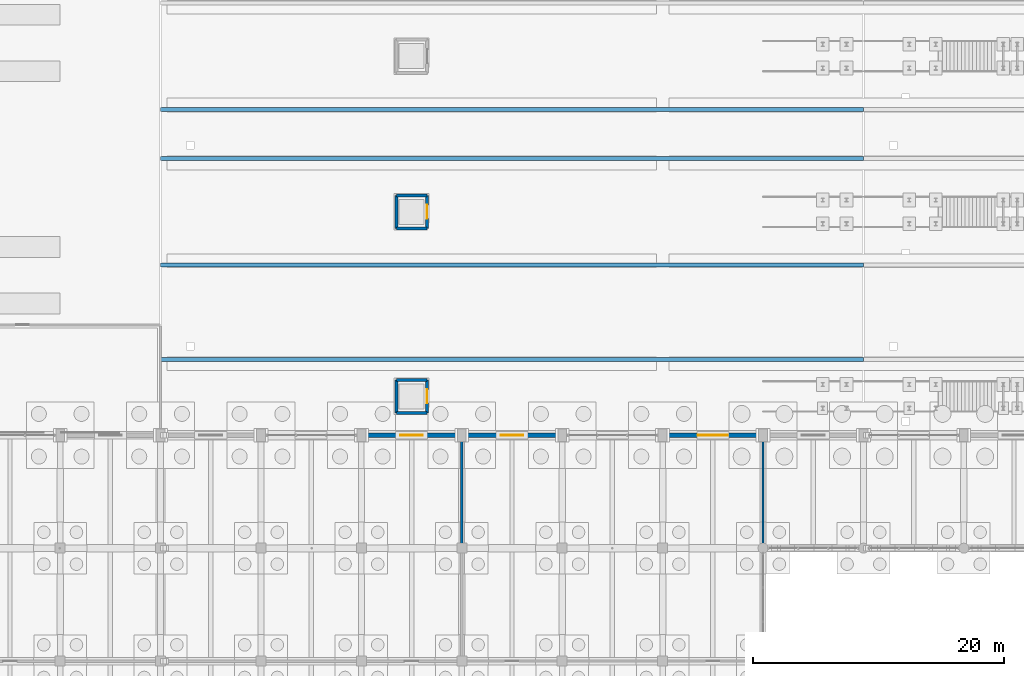
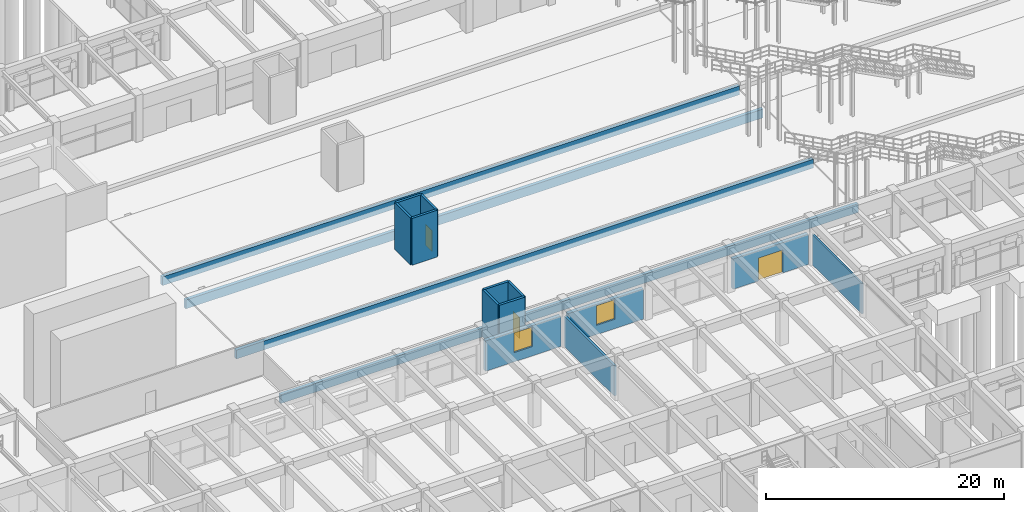
# One storey, part 104 of 147: 17 walls, 3 doors, 2 windows, 5 openings.
"""IFC4 building model written with IfcOpenShell, lengths in metres."""

from ifc_helpers import new_model, si_unit, direction, frame, frame_2d, origin, place, context, subcontext, project, spatial, rectangle, extrude, material, layer, layer_set, type_object, element, fill, save


model = new_model("IFC4")

# Units and contexts
model_context = context("Model", 3, precision=1e-05, world=origin(), true_north=direction((0.0, 1.0)))
body_context = subcontext(model_context, "Body", "Model", "MODEL_VIEW")
ifc_project = project(units=[si_unit("LENGTHUNIT", "METRE"), si_unit("AREAUNIT", "SQUARE_METRE"), si_unit("VOLUMEUNIT", "CUBIC_METRE"), si_unit("PLANEANGLEUNIT", "RADIAN"), si_unit("MASSUNIT", "GRAM", prefix="KILO")], contexts=[model_context])

# Site, building, storey
site_placement = place(None, origin())
site = spatial("IfcSite", under=ifc_project, at=site_placement, CompositionType="ELEMENT")
building_placement = place(site_placement, origin())
building = spatial("IfcBuilding", under=site, at=building_placement, Name="Varnabhumi Central Station", CompositionType="ELEMENT")
storey_placement = place(building_placement, origin())
storey = spatial("IfcBuildingStorey", under=building, at=storey_placement, Name="L00", CompositionType="ELEMENT", Elevation=0.0)

# Wall
ifc_material_1 = material(Name="Autoclaved aerated blockwork masonry", Category="masonry")
ifc_layer_1 = layer(ifc_material_1, 0.219970703125, Name="Autoclaved aerated blockwork masonry", Category="masonry")
ifc_layer_set_1 = layer_set([ifc_layer_1], Name="Autoclaved aerated blockwork masonry")
wall_type_1 = type_object("IfcWallType", Name="WAL-COMP-AAC-220", PredefinedType="SOLIDWALL", material=ifc_layer_set_1)
wall_1_placement = place(storey_placement, frame((88.0, 27.300048828125, 0.0), z_axis=(0.0, 0.0, 1.0), x_axis=(0.0, 1.0, 0.0)))
element("IfcWall", 1, at=wall_1_placement, inside=storey, type_object=wall_type_1, Name="Inbound and Outbound Parcel Store W Partition 2", PredefinedType="SOLIDWALL", context=body_context, shape_type="SweptSolid", body=[
    extrude(rectangle(XDim=8.39990234375, YDim=0.219970703125, at=frame_2d((4.199951171875, 0.0))), origin(), (0.0, 0.0, 1.0), 3.110107421875),
])

# Wall, opening, window
ifc_material_2 = material(Name="Chunar sandstone masonry", Category="masonry")
ifc_layer_2 = layer(ifc_material_2, 0.360107421875, Name="Chunar sandstone masonry", Category="masonry")
ifc_layer_set_2 = layer_set([ifc_layer_2], Name="Chunar sandstone masonry")
wall_type_2 = type_object("IfcWallType", Name="WAL-EXT-SANDSTONE-360", PredefinedType="SOLIDWALL", material=ifc_layer_set_2)
wall_2_placement = place(storey_placement, frame((80.344970703125, 36.0, 0.0), z_axis=(0.0, 0.0, 1.0), x_axis=(1.0, 0.0, 0.0)))
wall_2 = element("IfcWall", 2, at=wall_2_placement, inside=storey, type_object=wall_type_2, Name="South Spine Wall L00-11", PredefinedType="SOLIDWALL", context=body_context, shape_type="SweptSolid", body=[
    extrude(rectangle(XDim=7.31005859375, YDim=0.360107421875, at=frame_2d((3.655029296875, 0.0))), origin(), (0.0, 0.0, 1.0), 3.110107421875),
])
opening_1_placement = place(wall_2_placement, frame((2.7548828125, 0.0, 0.949951171875)))
opening_1 = element("IfcOpeningElement", 3, at=opening_1_placement, cuts=wall_2, Name="Opening W-02", PredefinedType="OPENING", context=body_context, shape_type="SweptSolid", body=[
    extrude(rectangle(XDim=1.800048828125, YDim=2.02001953125, at=frame_2d((0.89990234375, 1.010009765625))), frame((0.0, 0.18994140625, 0.0), z_axis=(0.0, -1.0, 0.0), x_axis=(1.0, 0.0, 0.0)), (0.0, 0.0, 1.0), 0.380126953125),
])
ifc_material_3 = material(Name="Laminated low-E double glazing", Category="glass")
window_type = type_object("IfcWindowType", Name="WIN-ARCADE-1800x2600", PartitioningType="DOUBLE_PANEL_VERTICAL", PredefinedType="WINDOW", material=ifc_material_3)
window_1_placement = place(opening_1_placement, origin())
window_1 = element("IfcWindow", 4, at=window_1_placement, inside=storey, type_object=window_type, Name="South Spine Overlook Window L00-11", OverallHeight=2.02001953125, OverallWidth=1.800048828125, PartitioningType="SINGLE_PANEL", PredefinedType="WINDOW", context=body_context, shape_type="SweptSolid", body=[
    extrude(rectangle(XDim=1.800048828125, YDim=2.02001953125, at=frame_2d((0.89990234375, 1.010009765625))), frame((0.0, 0.030029296875, 0.0), z_axis=(0.0, -1.0, 0.0), x_axis=(1.0, 0.0, 0.0)), (0.0, 0.0, 1.0), 0.06005859375),
])
fill(opening_1, window_1)

wall_3_placement = place(storey_placement, frame((88.344970703125, 36.0, 0.0), z_axis=(0.0, 0.0, 1.0), x_axis=(1.0, 0.0, 0.0)))
wall_3 = element("IfcWall", 5, at=wall_3_placement, inside=storey, type_object=wall_type_2, Name="South Spine Wall L00-12", PredefinedType="SOLIDWALL", context=body_context, shape_type="SweptSolid", body=[
    extrude(rectangle(XDim=7.31005859375, YDim=0.360107421875, at=frame_2d((3.655029296875, 0.0))), origin(), (0.0, 0.0, 1.0), 3.110107421875),
])
opening_2_placement = place(wall_3_placement, frame((2.7548828125, 0.0, 0.949951171875)))
opening_2 = element("IfcOpeningElement", 6, at=opening_2_placement, cuts=wall_3, Name="Opening W-02", PredefinedType="OPENING", context=body_context, shape_type="SweptSolid", body=[
    extrude(rectangle(XDim=1.800048828125, YDim=2.02001953125, at=frame_2d((0.89990234375, 1.010009765625))), frame((0.0, 0.18994140625, 0.0), z_axis=(0.0, -1.0, 0.0), x_axis=(1.0, 0.0, 0.0)), (0.0, 0.0, 1.0), 0.380126953125),
])
window_2_placement = place(opening_2_placement, origin())
window_2 = element("IfcWindow", 7, at=window_2_placement, inside=storey, type_object=window_type, Name="South Spine Overlook Window L00-12", OverallHeight=2.02001953125, OverallWidth=1.800048828125, PartitioningType="SINGLE_PANEL", PredefinedType="WINDOW", context=body_context, shape_type="SweptSolid", body=[
    extrude(rectangle(XDim=1.800048828125, YDim=2.02001953125, at=frame_2d((0.89990234375, 1.010009765625))), frame((0.0, 0.030029296875, 0.0), z_axis=(0.0, -1.0, 0.0), x_axis=(1.0, 0.0, 0.0)), (0.0, 0.0, 1.0), 0.06005859375),
])
fill(opening_2, window_2)

# Wall, opening, door
wall_4_placement = place(storey_placement, frame((104.344970703125, 36.0, 0.0), z_axis=(0.0, 0.0, 1.0), x_axis=(1.0, 0.0, 0.0)))
wall_4 = element("IfcWall", 8, at=wall_4_placement, inside=storey, type_object=wall_type_2, Name="South Spine Wall L00-14", PredefinedType="SOLIDWALL", context=body_context, shape_type="SweptSolid", body=[
    extrude(rectangle(XDim=7.31005859375, YDim=0.360107421875, at=frame_2d((3.655029296875, 0.0))), origin(), (0.0, 0.0, 1.0), 3.110107421875),
])
opening_3_placement = place(wall_4_placement, frame((2.455078125, 0.0, 0.0)))
opening_3 = element("IfcOpeningElement", 9, at=opening_3_placement, cuts=wall_4, Name="Opening ED-1", PredefinedType="OPENING", context=body_context, shape_type="SweptSolid", body=[
    extrude(rectangle(XDim=2.39990234375, YDim=2.35009765625, at=frame_2d((1.199951171875, 1.175048828125))), frame((0.0, 0.18994140625, 0.0), z_axis=(0.0, -1.0, 0.0), x_axis=(1.0, 0.0, 0.0)), (0.0, 0.0, 1.0), 0.380126953125),
])
ifc_material_4 = material(Name="Anodised aluminium 6063-T6", Category="aluminium")
door_type_1 = type_object("IfcDoorType", Name="DR-EXT-PORTAL-2400", OperationType="NOTDEFINED", PredefinedType="DOOR", material=ifc_material_4)
door_1_placement = place(opening_3_placement, origin())
door_1 = element("IfcDoor", 10, at=door_1_placement, inside=storey, type_object=door_type_1, Name="South Spine Portal 14", OperationType="DOUBLE_DOOR_SINGLE_SWING", OverallHeight=2.35009765625, OverallWidth=2.39990234375, PredefinedType="DOOR", context=body_context, shape_type="SweptSolid", body=[
    extrude(rectangle(XDim=2.39990234375, YDim=2.35009765625, at=frame_2d((1.199951171875, 1.175048828125))), frame((0.0, 0.02490234375, 0.0), z_axis=(0.0, -1.0, 0.0), x_axis=(1.0, 0.0, 0.0)), (0.0, 0.0, 1.0), 0.050048828125),
])
fill(opening_3, door_1)

# Walls
ifc_layer_3 = layer(ifc_material_1, 0.159912109375, Name="Autoclaved aerated blockwork masonry", Category="masonry")
ifc_layer_set_3 = layer_set([ifc_layer_3], Name="Autoclaved aerated blockwork masonry")
wall_type_3 = type_object("IfcWallType", Name="WAL-PART-AAC-160", PredefinedType="PARTITIONING", material=ifc_layer_set_3)
wall_5_placement = place(storey_placement, frame((112.0, 27.300048828125, 0.0), z_axis=(0.0, 0.0, 1.0), x_axis=(0.0, 1.0, 0.0)))
element("IfcWall", 11, at=wall_5_placement, inside=storey, type_object=wall_type_3, Name="Oversize Baggage Screening Room W Partition 2", PredefinedType="PARTITIONING", context=body_context, shape_type="SweptSolid", body=[
    extrude(rectangle(XDim=8.39990234375, YDim=0.159912109375, at=frame_2d((4.199951171875, 0.0))), origin(), (0.0, 0.0, 1.0), 3.110107421875),
])
ifc_material_5 = material(Name="Concrete M40", Category="concrete")
ifc_layer_4 = layer(ifc_material_5, 0.320068359375, Name="Concrete M40", Category="concrete")
ifc_layer_set_4 = layer_set([ifc_layer_4], Name="Concrete M40")
wall_type_4 = type_object("IfcWallType", Name="WAL-PLAT-RET-320", PredefinedType="USERDEFINED", material=ifc_layer_set_4)
for number, where, z_axis, x_axis, name in (
    (12, (64.0, 42.0400390625, -1.2548828125), (0.0, 0.0, 1.0), (1.0, 0.0, 0.0), "Platform 1 Retaining Wall N1"),
    (13, (64.0, 49.56005859375, -1.2548828125), (0.0, 0.0, 1.0), (1.0, 0.0, 0.0), "Platform 2 Retaining Wall S1"),
    (14, (64.0, 58.0400390625, -1.2548828125), (0.0, 0.0, 1.0), (1.0, 0.0, 0.0), "Platform 2 Retaining Wall N1"),
    (15, (64.0, 61.9599609375, -1.2548828125), (0.0, 0.0, 1.0), (1.0, 0.0, 0.0), "Platform 3 Retaining Wall S1"),
):
    element("IfcWall", number, at=place(storey_placement, frame(where, z_axis=z_axis, x_axis=x_axis)), inside=storey, type_object=wall_type_4, Name=name, ObjectType="RETAINING WALL", PredefinedType="USERDEFINED", context=body_context, shape_type="SweptSolid", body=[
        extrude(rectangle(XDim=56.0, YDim=0.320068359375, at=frame_2d((28.0, 0.0))), origin(), (0.0, 0.0, 1.0), 0.90478515625),
    ])
ifc_layer_5 = layer(ifc_material_5, 0.239990234375, Name="Concrete M40", Category="concrete")
ifc_layer_set_5 = layer_set([ifc_layer_5], Name="Concrete M40")
wall_type_5 = type_object("IfcWallType", Name="WAL-SHAFT-RC-240", PredefinedType="SHEAR", material=ifc_layer_set_5)
wall_6_placement = place(storey_placement, frame((82.780029296875, 37.780029296875, 0.0), z_axis=(0.0, 0.0, 1.0), x_axis=(0.0, 1.0, 0.0)))
element("IfcWall", 16, at=wall_6_placement, inside=storey, type_object=wall_type_5, Name="PL-1 L00 Shaft West Wall", PredefinedType="SHEAR", context=body_context, shape_type="SweptSolid", body=[
    extrude(rectangle(XDim=2.639892578125, YDim=0.239990234375, at=frame_2d((1.31982421875, 0.0))), origin(), (0.0, 0.0, 1.0), 4.800048828125),
])
for number, where, z_axis, x_axis, name in (
    (17, (82.780029296875, 37.780029296875, 0.0), (0.0, 0.0, 1.0), (1.0, 0.0, 0.0), "PL-1 L00 Shaft South Wall"),
    (18, (82.780029296875, 40.419921875, 0.0), (0.0, 0.0, 1.0), (1.0, 0.0, 0.0), "PL-1 L00 Shaft North Wall"),
):
    element("IfcWall", number, at=place(storey_placement, frame(where, z_axis=z_axis, x_axis=x_axis)), inside=storey, type_object=wall_type_5, Name=name, PredefinedType="SHEAR", context=body_context, shape_type="SweptSolid", body=[
        extrude(rectangle(XDim=2.43994140625, YDim=0.239990234375, at=frame_2d((1.219970703125, 0.0))), origin(), (0.0, 0.0, 1.0), 4.800048828125),
    ])

# Wall, opening, door
wall_7_placement = place(storey_placement, frame((85.219970703125, 37.780029296875, 0.0), z_axis=(0.0, 0.0, 1.0), x_axis=(0.0, 1.0, 0.0)))
wall_7 = element("IfcWall", 19, at=wall_7_placement, inside=storey, type_object=wall_type_5, Name="PL-1 L00 Shaft Front Wall", PredefinedType="SHEAR", context=body_context, shape_type="SweptSolid", body=[
    extrude(rectangle(XDim=2.639892578125, YDim=0.239990234375, at=frame_2d((1.31982421875, 0.0))), origin(), (0.0, 0.0, 1.0), 4.800048828125),
])
opening_4_placement = place(wall_7_placement, frame((0.77001953125, 0.0, 0.0)))
opening_4 = element("IfcOpeningElement", 20, at=opening_4_placement, cuts=wall_7, Name="Opening LD-PL-1", PredefinedType="OPENING", context=body_context, shape_type="SweptSolid", body=[
    extrude(rectangle(XDim=1.10009765625, YDim=2.14990234375, at=frame_2d((0.550048828125, 1.074951171875))), frame((0.0, 0.1298828125, 0.0), z_axis=(0.0, -1.0, 0.0), x_axis=(1.0, 0.0, 0.0)), (0.0, 0.0, 1.0), 0.260009765625),
])
ifc_material_6 = material(Name="Stainless steel Grade 316", Category="steel")
door_type_2 = type_object("IfcDoorType", Name="DR-LIFT-PASS-1100", OperationType="NOTDEFINED", PredefinedType="DOOR", material=ifc_material_6)
door_2_placement = place(opening_4_placement, origin())
door_2 = element("IfcDoor", 21, at=door_2_placement, inside=storey, type_object=door_type_2, Name="Lift Landing Door PL-1 L00", OperationType="DOUBLE_DOOR_SLIDING", OverallHeight=2.14990234375, OverallWidth=1.10009765625, PredefinedType="DOOR", context=body_context, shape_type="SweptSolid", body=[
    extrude(rectangle(XDim=1.10009765625, YDim=2.14990234375, at=frame_2d((0.550048828125, 1.074951171875))), frame((0.0, 0.02490234375, 0.0), z_axis=(0.0, -1.0, 0.0), x_axis=(1.0, 0.0, 0.0)), (0.0, 0.0, 1.0), 0.050048828125),
])
fill(opening_4, door_2)

# Walls
wall_8_placement = place(storey_placement, frame((82.780029296875, 52.47998046875, 0.0), z_axis=(0.0, 0.0, 1.0), x_axis=(0.0, 1.0, 0.0)))
element("IfcWall", 22, at=wall_8_placement, inside=storey, type_object=wall_type_5, Name="PL-2 L00 Shaft West Wall", PredefinedType="SHEAR", context=body_context, shape_type="SweptSolid", body=[
    extrude(rectangle(XDim=2.64013671875, YDim=0.239990234375, at=frame_2d((1.320068359375, 0.0))), origin(), (0.0, 0.0, 1.0), 4.800048828125),
])
for number, where, z_axis, x_axis, name in (
    (23, (82.780029296875, 52.47998046875, 0.0), (0.0, 0.0, 1.0), (1.0, 0.0, 0.0), "PL-2 L00 Shaft South Wall"),
    (24, (82.780029296875, 55.1201171875, 0.0), (0.0, 0.0, 1.0), (1.0, 0.0, 0.0), "PL-2 L00 Shaft North Wall"),
):
    element("IfcWall", number, at=place(storey_placement, frame(where, z_axis=z_axis, x_axis=x_axis)), inside=storey, type_object=wall_type_5, Name=name, PredefinedType="SHEAR", context=body_context, shape_type="SweptSolid", body=[
        extrude(rectangle(XDim=2.43994140625, YDim=0.239990234375, at=frame_2d((1.219970703125, 0.0))), origin(), (0.0, 0.0, 1.0), 4.800048828125),
    ])

# Wall, opening, door
wall_9_placement = place(storey_placement, frame((85.219970703125, 52.47998046875, 0.0), z_axis=(0.0, 0.0, 1.0), x_axis=(0.0, 1.0, 0.0)))
wall_9 = element("IfcWall", 25, at=wall_9_placement, inside=storey, type_object=wall_type_5, Name="PL-2 L00 Shaft Front Wall", PredefinedType="SHEAR", context=body_context, shape_type="SweptSolid", body=[
    extrude(rectangle(XDim=2.64013671875, YDim=0.239990234375, at=frame_2d((1.320068359375, 0.0))), origin(), (0.0, 0.0, 1.0), 4.800048828125),
])
opening_5_placement = place(wall_9_placement, frame((0.77001953125, 0.0, 0.0)))
opening_5 = element("IfcOpeningElement", 26, at=opening_5_placement, cuts=wall_9, Name="Opening LD-PL-2", PredefinedType="OPENING", context=body_context, shape_type="SweptSolid", body=[
    extrude(rectangle(XDim=1.10009765625, YDim=2.14990234375, at=frame_2d((0.550048828125, 1.074951171875))), frame((0.0, 0.1298828125, 0.0), z_axis=(0.0, -1.0, 0.0), x_axis=(1.0, 0.0, 0.0)), (0.0, 0.0, 1.0), 0.260009765625),
])
door_3_placement = place(opening_5_placement, origin())
door_3 = element("IfcDoor", 27, at=door_3_placement, inside=storey, type_object=door_type_2, Name="Lift Landing Door PL-2 L00", OperationType="DOUBLE_DOOR_SLIDING", OverallHeight=2.14990234375, OverallWidth=1.10009765625, PredefinedType="DOOR", context=body_context, shape_type="SweptSolid", body=[
    extrude(rectangle(XDim=1.10009765625, YDim=2.14990234375, at=frame_2d((0.550048828125, 1.074951171875))), frame((0.0, 0.02490234375, 0.0), z_axis=(0.0, -1.0, 0.0), x_axis=(1.0, 0.0, 0.0)), (0.0, 0.0, 1.0), 0.050048828125),
])
fill(opening_5, door_3)

save(model, "model.ifc")
